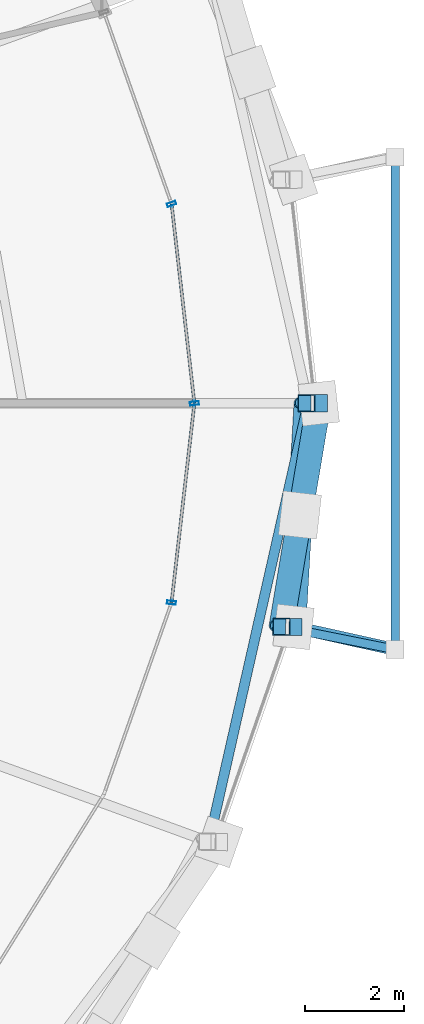
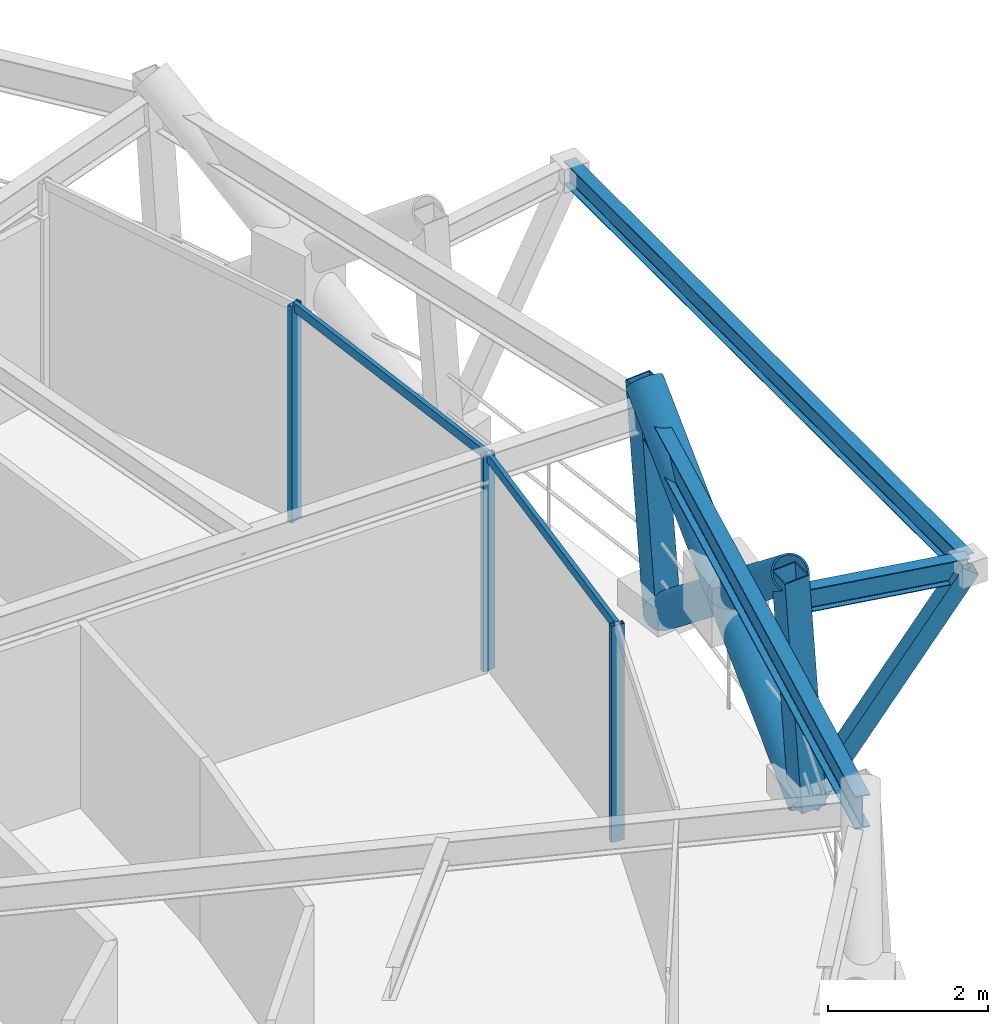
# One storey, part 8 of 17: 11 members, 3 beams, 1 element without a shape of its own.
"""IFC4 building model written with IfcOpenShell, lengths in metres."""

import ifcopenshell
import ifcopenshell.guid

model = None  # the IFC model being written
_history = None  # IfcOwnerHistory: only IFC2X3 demands one
_inside = {}  # id of a spatial element -> (the spatial element, [elements in it])
_under = {}  # id of a project, library or spatial element -> (it, [spatial elements below it])
_declared = {}  # id of a project -> (the project, [libraries it declares])
_typed = {}  # id of a type object -> (the type object, [elements of that type])
_made_of = {}  # id of a material, layer set ... -> (it, [elements and type objects made of it])


def new_model(schema):
    """Start an empty IFC model of exactly this schema.

    Asked for "IFC4X3", IfcOpenShell would pick the latest addendum, in which some entities
    have other attributes; the version numbers below select the first issue.
    IFC2X3 requires an IfcOwnerHistory on every rooted entity: one is made here for all.
    """
    global model, _history
    if schema == "IFC4X3":
        model = ifcopenshell.file(schema_version=(4, 3, 0, 0))
    else:
        model = ifcopenshell.file(schema=schema)
    _inside.clear()
    _under.clear()
    _declared.clear()
    _typed.clear()
    _made_of.clear()
    _history = None
    if model.schema == "IFC2X3":
        org = make("IfcOrganization", Name="unknown")
        user = make(
            "IfcPersonAndOrganization",
            ThePerson=make("IfcPerson", FamilyName="unknown"),
            TheOrganization=org,
        )
        app = make(
            "IfcApplication",
            ApplicationDeveloper=org,
            Version="unknown",
            ApplicationFullName="unknown",
            ApplicationIdentifier="unknown",
        )
        _history = make(
            "IfcOwnerHistory",
            OwningUser=user,
            OwningApplication=app,
            ChangeAction="ADDED",
            CreationDate=0,
        )
    return model


def make(cls, **values):
    """One entity of the class cls with the attributes given. An attribute that is None is left unset."""
    return model.create_entity(
        cls, **{name: value for name, value in values.items() if value is not None}
    )


def rooted(cls, **values):
    """An entity with a GlobalId (a new one), such as an element, a storey or a relation."""
    return make(cls, GlobalId=ifcopenshell.guid.new(), OwnerHistory=_history, **values)


def si_unit(unit_type, name, prefix=None):
    """IfcSIUnit, for example si_unit("LENGTHUNIT", "METRE", prefix="MILLI")."""
    return make("IfcSIUnit", UnitType=unit_type, Prefix=prefix, Name=name)


def assignment(units):
    """IfcUnitAssignment: the units of a project."""
    return None if units is None else make("IfcUnitAssignment", Units=units)


def point(xyz):
    """IfcCartesianPoint."""
    return None if xyz is None else make("IfcCartesianPoint", Coordinates=xyz)


def direction(xyz):
    """IfcDirection."""
    return None if xyz is None else make("IfcDirection", DirectionRatios=xyz)


def frame(location, z_axis=None, x_axis=None):
    """IfcAxis2Placement3D, a coordinate frame: its origin and axes. An axis left out is left unset."""
    return make(
        "IfcAxis2Placement3D",
        Location=point(location),
        Axis=direction(z_axis),
        RefDirection=direction(x_axis),
    )


def frame_2d(location, x_axis=None):
    """IfcAxis2Placement2D, a coordinate frame in the plane: its origin and x axis."""
    return make(
        "IfcAxis2Placement2D", Location=point(location), RefDirection=direction(x_axis)
    )


def origin():
    """The frame at (0, 0, 0) with its axes left unset."""
    return frame((0.0, 0.0, 0.0))


def origin_2d():
    """The frame at (0, 0) in the plane with its x axis left unset."""
    return frame_2d((0.0, 0.0))


def place(relative_to, where):
    """IfcLocalPlacement: puts the frame where relative to a parent placement (None: the world)."""
    return make(
        "IfcLocalPlacement", PlacementRelTo=relative_to, RelativePlacement=where
    )


def context(
    kind, dimensions, precision=None, world=None, true_north=None, identifier=None
):
    """IfcGeometricRepresentationContext, for example the 3D "Model" context."""
    return make(
        "IfcGeometricRepresentationContext",
        ContextIdentifier=identifier,
        ContextType=kind,
        CoordinateSpaceDimension=dimensions,
        Precision=precision,
        WorldCoordinateSystem=world,
        TrueNorth=true_north,
    )


def subcontext(parent, identifier, kind, view, scale=None):
    """IfcGeometricRepresentationSubContext, for example "Body" below "Model"."""
    return make(
        "IfcGeometricRepresentationSubContext",
        ContextIdentifier=identifier,
        ContextType=kind,
        ParentContext=parent,
        TargetScale=scale,
        TargetView=view,
    )


def project(units=None, contexts=None):
    """IfcProject with its units and contexts."""
    return rooted(
        "IfcProject",
        Name="project",
        RepresentationContexts=contexts,
        UnitsInContext=assignment(units),
    )


def spatial(cls, under=None, at=None, **own):
    """A site, building, storey or space (cls), placed at a placement, below another one or the project."""
    s = rooted(cls, ObjectPlacement=at, **own)
    if under is not None:
        _under.setdefault(under.id(), (under, []))[1].append(s)
    return s


def profile(cls, at=None, kind="AREA", **sizes):
    """A parametric profile (cls). Its sizes go by their IFC names, for example OverallWidth=200.0."""
    return make(cls, ProfileType=kind, Position=at, **sizes)


def hollow_rectangle(**sizes):
    """IfcRectangleHollowProfileDef."""
    return profile("IfcRectangleHollowProfileDef", **sizes)


def hollow_circle(**sizes):
    """IfcCircleHollowProfileDef."""
    return profile("IfcCircleHollowProfileDef", **sizes)


def i_section(**sizes):
    """IfcIShapeProfileDef."""
    return profile("IfcIShapeProfileDef", **sizes)


def extrude(swept, where, along, depth):
    """IfcExtrudedAreaSolid: the profile swept, set in the frame where, extruded along a direction by depth."""
    return make(
        "IfcExtrudedAreaSolid",
        SweptArea=swept,
        Position=where,
        ExtrudedDirection=direction(along),
        Depth=depth,
    )


def shape(context_of_items, identifier, shape_type, items):
    """IfcShapeRepresentation: the items that make up one representation, for example the "Body"."""
    return make(
        "IfcShapeRepresentation",
        ContextOfItems=context_of_items,
        RepresentationIdentifier=identifier,
        RepresentationType=shape_type,
        Items=items,
    )


def material(Name=None, Category=None):
    """IfcMaterial."""
    return make("IfcMaterial", Name=Name, Category=Category)


def layer(
    of_material, thickness, ventilated=None, Name=None, Category=None, Priority=None
):
    """IfcMaterialLayer: one layer of a wall or slab, of a material (None: an air gap)."""
    return make(
        "IfcMaterialLayer",
        Material=of_material,
        LayerThickness=thickness,
        IsVentilated=ventilated,
        Name=Name,
        Category=Category,
        Priority=Priority,
    )


def layer_set(layers, Name=None):
    """IfcMaterialLayerSet."""
    return make("IfcMaterialLayerSet", MaterialLayers=layers, LayerSetName=Name)


def material_profile(
    of_material, cross_section, Name=None, Category=None, Priority=None
):
    """IfcMaterialProfile: a cross section and its material."""
    return make(
        "IfcMaterialProfile",
        Name=Name,
        Material=of_material,
        Profile=cross_section,
        Priority=Priority,
        Category=Category,
    )


def profile_set(profiles, Name=None, composite=None):
    """IfcMaterialProfileSet."""
    return make(
        "IfcMaterialProfileSet",
        Name=Name,
        MaterialProfiles=profiles,
        CompositeProfile=composite,
    )


def made_of(thing, what):
    """Note that an element or type object is made of a material, layer set ...; save() writes the relation."""
    if what is not None:
        _made_of.setdefault(what.id(), (what, []))[1].append(thing)
    return thing


def type_object(cls, material=None, **own):
    """A type object (cls), such as IfcWallType, which elements share."""
    return made_of(rooted(cls, **own), material)


def element(
    cls,
    number,
    at=None,
    inside=None,
    cuts=None,
    type_object=None,
    material=None,
    context=None,
    identifier="Body",
    shape_type=None,
    held_by="IfcProductDefinitionShape",
    body=None,
    shapes=None,
    **own,
):
    """One element of the class cls, such as IfcWall. Its Tag is "e" and its number.

    at: its placement. inside: the storey or other place that contains it. cuts: it is an
    opening in that element (IfcRelVoidsElement). A single representation is given by context,
    identifier, shape_type and body (its items); several are given by shapes. held_by: the class
    of the entity that holds the representations. save() writes the other relations.
    """
    e = rooted(cls, Tag="e%d" % number, ObjectPlacement=at, **own)
    if body is not None:
        shapes = [shape(context, identifier, shape_type, body)]
    if shapes is not None:
        e.Representation = make(held_by, Representations=shapes)
    if inside is not None:
        _inside.setdefault(inside.id(), (inside, []))[1].append(e)
    if cuts is not None:
        rooted(
            "IfcRelVoidsElement", RelatingBuildingElement=cuts, RelatedOpeningElement=e
        )
    if type_object is not None:
        _typed.setdefault(type_object.id(), (type_object, []))[1].append(e)
    return made_of(e, material)


def aggregate(whole, parts):
    """IfcRelAggregates: a whole, such as a stair, and the parts it consists of."""
    return rooted("IfcRelAggregates", RelatingObject=whole, RelatedObjects=parts)


def save(model, path):
    """Write the relations noted so far, then the file.

    IfcRelAggregates (storeys below a building ...), IfcRelContainedInSpatialStructure (elements
    in a storey), IfcRelDefinesByType, IfcRelAssociatesMaterial and IfcRelDeclares: one each for
    every whole, place, type object, material and project.
    """
    for whole, parts in _under.values():
        aggregate(whole, parts)
    for where, things in _inside.values():
        rooted(
            "IfcRelContainedInSpatialStructure",
            RelatedElements=things,
            RelatingStructure=where,
        )
    for kind, things in _typed.values():
        rooted("IfcRelDefinesByType", RelatedObjects=things, RelatingType=kind)
    for what, things in _made_of.values():
        rooted("IfcRelAssociatesMaterial", RelatedObjects=things, RelatingMaterial=what)
    for by, libraries in _declared.values():
        rooted("IfcRelDeclares", RelatingContext=by, RelatedDefinitions=libraries)
    model.write(path)


model = new_model("IFC4")

# Units and contexts
model_context = context("Model", 3, precision=1e-05, world=origin(), true_north=direction((0.0, 1.0)))
body_context = subcontext(model_context, "Body", "Model", "MODEL_VIEW")
ifc_project = project(units=[si_unit("LENGTHUNIT", "METRE"), si_unit("AREAUNIT", "SQUARE_METRE"), si_unit("VOLUMEUNIT", "CUBIC_METRE"), si_unit("PLANEANGLEUNIT", "RADIAN"), si_unit("MASSUNIT", "GRAM", prefix="KILO")], contexts=[model_context])

# Site, building, storey
site_placement = place(None, origin())
site = spatial("IfcSite", under=ifc_project, at=site_placement, CompositionType="ELEMENT")
building_placement = place(site_placement, origin())
building = spatial("IfcBuilding", under=site, at=building_placement, Name="Veldorina Hangang Commons", CompositionType="ELEMENT")
storey_placement = place(building_placement, frame((0.0, 0.0, 196.39990234375)))
storey = spatial("IfcBuildingStorey", under=building, at=storey_placement, Name="L51", CompositionType="ELEMENT", Elevation=196.39990234375)

# Beams
ifc_material_1 = material(Name="Steel SM355-TMC", Category="steel")
ifc_material_profile_1 = material_profile(ifc_material_1, i_section(OverallWidth=0.175048828125, OverallDepth=0.35009765625, WebThickness=0.007080078125, FlangeThickness=0.010986328125, FilletRadius=0.012939453125, at=origin_2d()), Name="H-350x175x7x11")
ifc_profile_set_1 = profile_set([ifc_material_profile_1], Name="Steel SM355-TMC")
beam_type_1 = type_object("IfcBeamType", Name="BM-FG350", PredefinedType="BEAM", material=ifc_profile_set_1)
beam_1_placement = place(storey_placement, frame((57.85400390625, 19.470947265625, 3.175048828125), z_axis=(0.980779967158, -0.195117031602, 0.0), x_axis=(0.195117031602, 0.980779967158, 0.0)))
element("IfcBeam", 1, at=beam_1_placement, inside=storey, type_object=beam_type_1, Name="L52 tree balcony 2 bracket beam A", PredefinedType="BEAM", context=body_context, shape_type="SweptSolid", body=[
    extrude(i_section(OverallWidth=0.175048828125, OverallDepth=0.35009765625, WebThickness=0.007080078125, FlangeThickness=0.010986328125, FilletRadius=0.012939453125, at=origin_2d()), origin(), (0.0, 0.0, 1.0), 2.349853515625),
])
beam_2_placement = place(storey_placement, frame((60.15869140625, 19.012451171875, 3.175048828125), z_axis=(0.0, 1.0, 0.0), x_axis=(-1.0, 0.0, 0.0)))
element("IfcBeam", 2, at=beam_2_placement, inside=storey, type_object=beam_type_1, Name="L52 tree balcony 2 outer rim beam", PredefinedType="BEAM", context=body_context, shape_type="SweptSolid", body=[
    extrude(i_section(OverallWidth=0.175048828125, OverallDepth=0.35009765625, WebThickness=0.007080078125, FlangeThickness=0.010986328125, FilletRadius=0.012939453125, at=origin_2d()), origin(), (0.0, 0.0, 1.0), 9.97509765625),
])
ifc_material_2 = material(Name="Steel SM420-TMC", Category="steel")
ifc_material_profile_2 = material_profile(ifc_material_2, i_section(OverallWidth=0.199951171875, OverallDepth=0.5, WebThickness=0.010009765625, FlangeThickness=0.01611328125, FilletRadius=0.01611328125, at=origin_2d()), Name="H-500x200x10x16")
ifc_profile_set_2 = profile_set([ifc_material_profile_2], Name="Steel SM420-TMC")
beam_type_2 = type_object("IfcBeamType", Name="BM-RB500", PredefinedType="BEAM", material=ifc_profile_set_2)
beam_3_placement = place(storey_placement, frame((56.38623046875, 15.115234375, 3.10009765625), z_axis=(0.220578394149, 0.975369249072, 0.0), x_axis=(-0.975369249072, 0.220578394149, 0.0)))
element("IfcBeam", 3, at=beam_3_placement, inside=storey, type_object=beam_type_2, Name="L51 perimeter hoop ring beam 30", PredefinedType="BEAM", context=body_context, shape_type="SweptSolid", body=[
    extrude(i_section(OverallWidth=0.199951171875, OverallDepth=0.5, WebThickness=0.010009765625, FlangeThickness=0.01611328125, FilletRadius=0.01611328125, at=origin_2d()), origin(), (0.0, 0.0, 1.0), 9.109130859375),
])

# Curtain wall, members
ifc_material_3 = material(Name="Glass Low-E Triple IGU", Category="glass")
ifc_layer = layer(ifc_material_3, 0.179931640625)
ifc_layer_set = layer_set([ifc_layer], Name="Glass Low-E Triple IGU")
curtain_wall_type = type_object("IfcCurtainWallType", Name="CW-SYS-Z2", PredefinedType="NOTDEFINED", material=ifc_layer_set)
curtain_wall_placement = place(storey_placement, origin())
curtain_wall = element("IfcCurtainWall", 4, at=curtain_wall_placement, inside=storey, type_object=curtain_wall_type, Name="L51 unitised curtain wall CW-L51-R2", PredefinedType="NOTDEFINED")
ifc_material_4 = material(Name="Aluminium Anodized AA6063-T6", Category="aluminium")
ifc_material_profile_3 = material_profile(ifc_material_4, hollow_rectangle(XDim=0.070068359375, YDim=0.179931640625, WallThickness=0.00390625, at=origin_2d()), Name="ALU-RHS-180x70x4")
ifc_profile_set_3 = profile_set([ifc_material_profile_3], Name="Aluminium Anodized AA6063-T6")
member_type_1 = type_object("IfcMemberType", Name="CW-MUL-180", PredefinedType="MULLION", material=ifc_profile_set_3)
member_1_placement = place(storey_placement, frame((55.62890625, 19.960205078125, 0.0), z_axis=(0.0, 0.0, 1.0), x_axis=(0.113844810828, 0.993498545066, 0.0)))
member_1 = element("IfcMember", 5, at=member_1_placement, type_object=member_type_1, Name="CW-L51-R2 vertical mullion 2", PredefinedType="MULLION", context=body_context, shape_type="SweptSolid", body=[
    extrude(hollow_rectangle(XDim=0.070068359375, YDim=0.179931640625, WallThickness=0.00390625, at=origin_2d()), origin(), (0.0, 0.0, 1.0), 3.31005859375),
])
member_2_placement = place(storey_placement, frame((56.091796875, 24.0, 0.0), z_axis=(0.0, 0.0, 1.0), x_axis=(-0.113844810828, 0.993498545066, 0.0)))
member_2 = element("IfcMember", 6, at=member_2_placement, type_object=member_type_1, Name="CW-L51-R2 vertical mullion 3", PredefinedType="MULLION", context=body_context, shape_type="SweptSolid", body=[
    extrude(hollow_rectangle(XDim=0.070068359375, YDim=0.179931640625, WallThickness=0.00390625, at=origin_2d()), origin(), (0.0, 0.0, 1.0), 3.31005859375),
])
member_3_placement = place(storey_placement, frame((55.62890625, 28.039794921875, 0.0), z_axis=(0.0, 0.0, 1.0), x_axis=(-0.332819544523, 0.942990535893, 0.0)))
member_3 = element("IfcMember", 7, at=member_3_placement, type_object=member_type_1, Name="CW-L51-R2 vertical mullion 4", PredefinedType="MULLION", context=body_context, shape_type="SweptSolid", body=[
    extrude(hollow_rectangle(XDim=0.070068359375, YDim=0.179931640625, WallThickness=0.00390625, at=origin_2d()), origin(), (0.0, 0.0, 1.0), 3.31005859375),
])
ifc_material_profile_4 = material_profile(ifc_material_4, hollow_rectangle(XDim=0.06005859375, YDim=0.139892578125, WallThickness=0.00341796875, at=origin_2d()), Name="ALU-RHS-140x60x3.5")
ifc_profile_set_4 = profile_set([ifc_material_profile_4], Name="Aluminium Anodized AA6063-T6")
member_type_2 = type_object("IfcMemberType", Name="CW-TRN-140", PredefinedType="USERDEFINED", material=ifc_profile_set_4)
member_4_placement = place(storey_placement, frame((55.62890625, 19.960205078125, 3.27001953125), z_axis=(0.113837841039, 0.993499343708, 0.0), x_axis=(-0.993499343708, 0.113837841039, 0.0)))
member_4 = element("IfcMember", 8, at=member_4_placement, type_object=member_type_2, Name="CW-L51-R2 facet 3 transom 1", ObjectType="TRANSOM", PredefinedType="USERDEFINED", context=body_context, shape_type="SweptSolid", body=[
    extrude(hollow_rectangle(XDim=0.06005859375, YDim=0.139892578125, WallThickness=0.00341796875, at=origin_2d()), origin(), (0.0, 0.0, 1.0), 4.066162109375),
])
member_5_placement = place(storey_placement, frame((56.091796875, 24.0, 3.27001953125), z_axis=(-0.113837841039, 0.993499343708, 0.0), x_axis=(-0.993499343708, -0.113837841039, 0.0)))
member_5 = element("IfcMember", 9, at=member_5_placement, type_object=member_type_2, Name="CW-L51-R2 facet 4 transom 1", ObjectType="TRANSOM", PredefinedType="USERDEFINED", context=body_context, shape_type="SweptSolid", body=[
    extrude(hollow_rectangle(XDim=0.06005859375, YDim=0.139892578125, WallThickness=0.00341796875, at=origin_2d()), origin(), (0.0, 0.0, 1.0), 4.066162109375),
])
aggregate(curtain_wall, [member_1, member_2, member_3, member_4, member_5])

# Members
ifc_material_profile_5 = material_profile(ifc_material_2, hollow_circle(Radius=0.25, WallThickness=0.02490234375, at=origin_2d()), Name="CHS-500x25")
ifc_profile_set_5 = profile_set([ifc_material_profile_5], Name="Steel SM420-TMC")
member_type_3 = type_object("IfcMemberType", Name="DG-CHS500", PredefinedType="BRACE", material=ifc_profile_set_5)
member_6_placement = place(storey_placement, frame((58.1005859375, 19.468505859375, 0.0), z_axis=(0.044880832892, 0.782190741126, 0.621420433632), x_axis=(-0.998357914638, 0.057284153822, 0.0)))
element("IfcMember", 10, at=member_6_placement, inside=storey, type_object=member_type_3, Name="L51 continuous perimeter diagrid brace 31", PredefinedType="BRACE", context=body_context, shape_type="SweptSolid", body=[
    extrude(hollow_circle(Radius=0.25, WallThickness=0.02490234375, at=origin_2d()), origin(), (0.0, 0.0, 1.0), 5.79345703125),
])
member_7_placement = place(storey_placement, frame((58.61181640625, 24.0, 0.0), z_axis=(-0.130580839193, -0.776040003329, 0.6170174695), x_axis=(0.986137038279, -0.16593294349, 0.0)))
element("IfcMember", 11, at=member_7_placement, inside=storey, type_object=member_type_3, Name="L51 split perimeter diagrid lower brace 00", PredefinedType="BRACE", context=body_context, shape_type="SweptSolid", body=[
    extrude(hollow_circle(Radius=0.25, WallThickness=0.02490234375, at=origin_2d()), origin(), (0.0, 0.0, 1.0), 2.91845703125),
])
member_8_placement = place(storey_placement, frame((58.230712890625, 21.735107421875, 1.80078125), z_axis=(-0.129165520212, -0.776332491542, 0.61694742966), x_axis=(0.986439881408, -0.164123003775, 0.0)))
element("IfcMember", 12, at=member_8_placement, inside=storey, type_object=member_type_3, Name="L51 split perimeter diagrid upper brace 00", PredefinedType="BRACE", context=body_context, shape_type="SweptSolid", body=[
    extrude(hollow_circle(Radius=0.25, WallThickness=0.02490234375, at=origin_2d()), origin(), (0.0, 0.0, 1.0), 2.91650390625),
])
ifc_material_profile_6 = material_profile(ifc_material_1, hollow_rectangle(XDim=0.25, YDim=0.25, WallThickness=0.011962890625, at=origin_2d()), Name="SHS-250x250x12")
ifc_profile_set_6 = profile_set([ifc_material_profile_6], Name="Steel SM355-TMC")
member_type_4 = type_object("IfcMemberType", Name="STR-SHS250", PredefinedType="STRUT", material=ifc_profile_set_6)
member_9_placement = place(storey_placement, frame((58.1005859375, 19.468505859375, 0.0), z_axis=(0.540024863984, -0.119663872589, 0.833098856004), x_axis=(0.216341807345, 0.97631768518, 0.0)))
element("IfcMember", 13, at=member_9_placement, inside=storey, type_object=member_type_4, Name="L52 tree balcony 2 raking knee strut A", PredefinedType="STRUT", context=body_context, shape_type="SweptSolid", body=[
    extrude(hollow_rectangle(XDim=0.25, YDim=0.25, WallThickness=0.011962890625, at=origin_2d()), origin(), (0.0, 0.0, 1.0), 3.81103515625),
])
ifc_material_profile_7 = material_profile(ifc_material_1, hollow_rectangle(XDim=0.35009765625, YDim=0.35009765625, WallThickness=0.01611328125, at=origin_2d()), Name="SHS-350x350x16")
ifc_profile_set_7 = profile_set([ifc_material_profile_7], Name="Steel SM355-TMC")
member_type_5 = type_object("IfcMemberType", Name="STR-SHS350", PredefinedType="STRUT", material=ifc_profile_set_7)
member_10_placement = place(storey_placement, frame((58.61181640625, 24.0, 0.0), z_axis=(-0.06961235366, 0.0, 0.997574117656), x_axis=(0.0, -1.0, 0.0)))
element("IfcMember", 14, at=member_10_placement, inside=storey, type_object=member_type_5, Name="L51 perimeter ring node post 00", PredefinedType="STRUT", context=body_context, shape_type="SweptSolid", body=[
    extrude(hollow_rectangle(XDim=0.35009765625, YDim=0.35009765625, WallThickness=0.01611328125, at=origin_2d()), origin(), (0.0, 0.0, 1.0), 3.60888671875),
])
member_11_placement = place(storey_placement, frame((58.1005859375, 19.468505859375, 0.0), z_axis=(-0.06833303677, 0.00067656472, 0.997662336838), x_axis=(-0.00990050484, -0.999950988801, 0.0)))
element("IfcMember", 15, at=member_11_placement, inside=storey, type_object=member_type_5, Name="L51 perimeter ring node post 31", PredefinedType="STRUT", context=body_context, shape_type="SweptSolid", body=[
    extrude(hollow_rectangle(XDim=0.35009765625, YDim=0.35009765625, WallThickness=0.01611328125, at=origin_2d()), origin(), (0.0, 0.0, 1.0), 3.608642578125),
])

save(model, "model.ifc")
